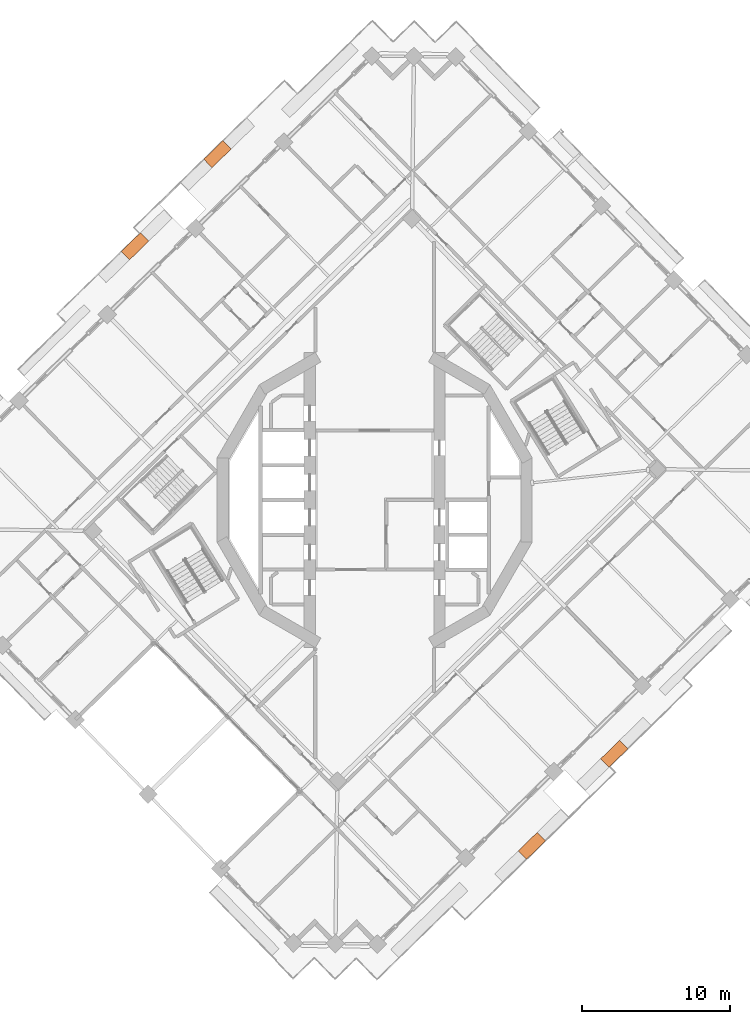
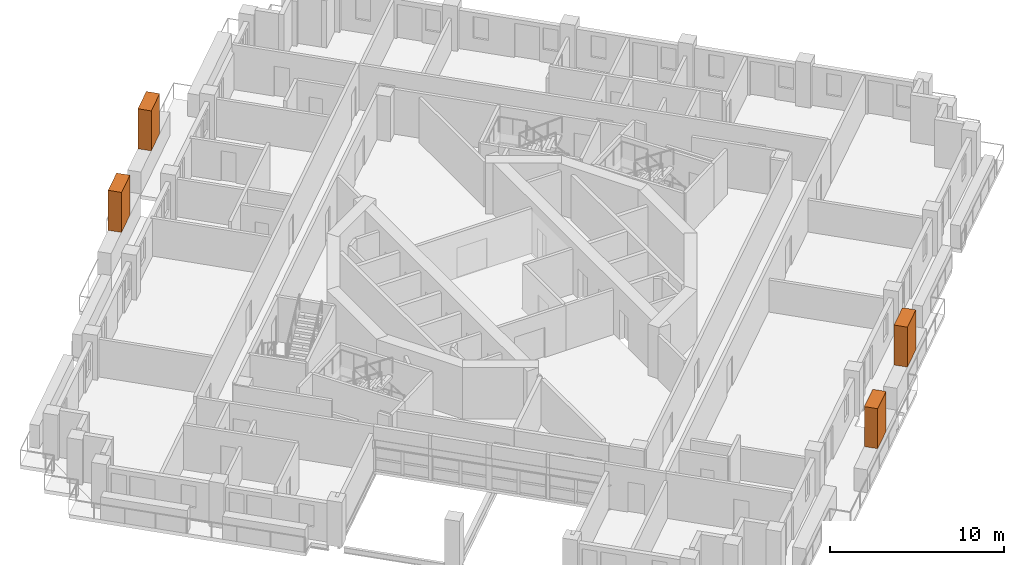
# One storey, part 19 of 19: 4 proxies.
"""IFC4 building model written with IfcOpenShell, lengths in metres."""

import ifcopenshell
import ifcopenshell.guid

model = None  # the IFC model being written
_history = None  # IfcOwnerHistory: only IFC2X3 demands one
_inside = {}  # id of a spatial element -> (the spatial element, [elements in it])
_under = {}  # id of a project, library or spatial element -> (it, [spatial elements below it])
_declared = {}  # id of a project -> (the project, [libraries it declares])
_typed = {}  # id of a type object -> (the type object, [elements of that type])
_made_of = {}  # id of a material, layer set ... -> (it, [elements and type objects made of it])


def new_model(schema):
    """Start an empty IFC model of exactly this schema.

    Asked for "IFC4X3", IfcOpenShell would pick the latest addendum, in which some entities
    have other attributes; the version numbers below select the first issue.
    IFC2X3 requires an IfcOwnerHistory on every rooted entity: one is made here for all.
    """
    global model, _history
    if schema == "IFC4X3":
        model = ifcopenshell.file(schema_version=(4, 3, 0, 0))
    else:
        model = ifcopenshell.file(schema=schema)
    _inside.clear()
    _under.clear()
    _declared.clear()
    _typed.clear()
    _made_of.clear()
    _history = None
    if model.schema == "IFC2X3":
        org = make("IfcOrganization", Name="unknown")
        user = make(
            "IfcPersonAndOrganization",
            ThePerson=make("IfcPerson", FamilyName="unknown"),
            TheOrganization=org,
        )
        app = make(
            "IfcApplication",
            ApplicationDeveloper=org,
            Version="unknown",
            ApplicationFullName="unknown",
            ApplicationIdentifier="unknown",
        )
        _history = make(
            "IfcOwnerHistory",
            OwningUser=user,
            OwningApplication=app,
            ChangeAction="ADDED",
            CreationDate=0,
        )
    return model


def make(cls, **values):
    """One entity of the class cls with the attributes given. An attribute that is None is left unset."""
    return model.create_entity(
        cls, **{name: value for name, value in values.items() if value is not None}
    )


def rooted(cls, **values):
    """An entity with a GlobalId (a new one), such as an element, a storey or a relation."""
    return make(cls, GlobalId=ifcopenshell.guid.new(), OwnerHistory=_history, **values)


def si_unit(unit_type, name, prefix=None):
    """IfcSIUnit, for example si_unit("LENGTHUNIT", "METRE", prefix="MILLI")."""
    return make("IfcSIUnit", UnitType=unit_type, Prefix=prefix, Name=name)


def assignment(units):
    """IfcUnitAssignment: the units of a project."""
    return None if units is None else make("IfcUnitAssignment", Units=units)


def point(xyz):
    """IfcCartesianPoint."""
    return None if xyz is None else make("IfcCartesianPoint", Coordinates=xyz)


def direction(xyz):
    """IfcDirection."""
    return None if xyz is None else make("IfcDirection", DirectionRatios=xyz)


def frame(location, z_axis=None, x_axis=None):
    """IfcAxis2Placement3D, a coordinate frame: its origin and axes. An axis left out is left unset."""
    return make(
        "IfcAxis2Placement3D",
        Location=point(location),
        Axis=direction(z_axis),
        RefDirection=direction(x_axis),
    )


def frame_2d(location, x_axis=None):
    """IfcAxis2Placement2D, a coordinate frame in the plane: its origin and x axis."""
    return make(
        "IfcAxis2Placement2D", Location=point(location), RefDirection=direction(x_axis)
    )


def origin():
    """The frame at (0, 0, 0) with its axes left unset."""
    return frame((0.0, 0.0, 0.0))


def origin_2d():
    """The frame at (0, 0) in the plane with its x axis left unset."""
    return frame_2d((0.0, 0.0))


def place(relative_to, where):
    """IfcLocalPlacement: puts the frame where relative to a parent placement (None: the world)."""
    return make(
        "IfcLocalPlacement", PlacementRelTo=relative_to, RelativePlacement=where
    )


def context(
    kind, dimensions, precision=None, world=None, true_north=None, identifier=None
):
    """IfcGeometricRepresentationContext, for example the 3D "Model" context."""
    return make(
        "IfcGeometricRepresentationContext",
        ContextIdentifier=identifier,
        ContextType=kind,
        CoordinateSpaceDimension=dimensions,
        Precision=precision,
        WorldCoordinateSystem=world,
        TrueNorth=true_north,
    )


def subcontext(parent, identifier, kind, view, scale=None):
    """IfcGeometricRepresentationSubContext, for example "Body" below "Model"."""
    return make(
        "IfcGeometricRepresentationSubContext",
        ContextIdentifier=identifier,
        ContextType=kind,
        ParentContext=parent,
        TargetScale=scale,
        TargetView=view,
    )


def project(units=None, contexts=None):
    """IfcProject with its units and contexts."""
    return rooted(
        "IfcProject",
        Name="project",
        RepresentationContexts=contexts,
        UnitsInContext=assignment(units),
    )


def spatial(cls, under=None, at=None, **own):
    """A site, building, storey or space (cls), placed at a placement, below another one or the project."""
    s = rooted(cls, ObjectPlacement=at, **own)
    if under is not None:
        _under.setdefault(under.id(), (under, []))[1].append(s)
    return s


def profile(cls, at=None, kind="AREA", **sizes):
    """A parametric profile (cls). Its sizes go by their IFC names, for example OverallWidth=200.0."""
    return make(cls, ProfileType=kind, Position=at, **sizes)


def rectangle(**sizes):
    """IfcRectangleProfileDef."""
    return profile("IfcRectangleProfileDef", **sizes)


def extrude(swept, where, along, depth):
    """IfcExtrudedAreaSolid: the profile swept, set in the frame where, extruded along a direction by depth."""
    return make(
        "IfcExtrudedAreaSolid",
        SweptArea=swept,
        Position=where,
        ExtrudedDirection=direction(along),
        Depth=depth,
    )


def shape(context_of_items, identifier, shape_type, items):
    """IfcShapeRepresentation: the items that make up one representation, for example the "Body"."""
    return make(
        "IfcShapeRepresentation",
        ContextOfItems=context_of_items,
        RepresentationIdentifier=identifier,
        RepresentationType=shape_type,
        Items=items,
    )


def made_of(thing, what):
    """Note that an element or type object is made of a material, layer set ...; save() writes the relation."""
    if what is not None:
        _made_of.setdefault(what.id(), (what, []))[1].append(thing)
    return thing


def element(
    cls,
    number,
    at=None,
    inside=None,
    cuts=None,
    type_object=None,
    material=None,
    context=None,
    identifier="Body",
    shape_type=None,
    held_by="IfcProductDefinitionShape",
    body=None,
    shapes=None,
    **own,
):
    """One element of the class cls, such as IfcWall. Its Tag is "e" and its number.

    at: its placement. inside: the storey or other place that contains it. cuts: it is an
    opening in that element (IfcRelVoidsElement). A single representation is given by context,
    identifier, shape_type and body (its items); several are given by shapes. held_by: the class
    of the entity that holds the representations. save() writes the other relations.
    """
    e = rooted(cls, Tag="e%d" % number, ObjectPlacement=at, **own)
    if body is not None:
        shapes = [shape(context, identifier, shape_type, body)]
    if shapes is not None:
        e.Representation = make(held_by, Representations=shapes)
    if inside is not None:
        _inside.setdefault(inside.id(), (inside, []))[1].append(e)
    if cuts is not None:
        rooted(
            "IfcRelVoidsElement", RelatingBuildingElement=cuts, RelatedOpeningElement=e
        )
    if type_object is not None:
        _typed.setdefault(type_object.id(), (type_object, []))[1].append(e)
    return made_of(e, material)


def aggregate(whole, parts):
    """IfcRelAggregates: a whole, such as a stair, and the parts it consists of."""
    return rooted("IfcRelAggregates", RelatingObject=whole, RelatedObjects=parts)


def save(model, path):
    """Write the relations noted so far, then the file.

    IfcRelAggregates (storeys below a building ...), IfcRelContainedInSpatialStructure (elements
    in a storey), IfcRelDefinesByType, IfcRelAssociatesMaterial and IfcRelDeclares: one each for
    every whole, place, type object, material and project.
    """
    for whole, parts in _under.values():
        aggregate(whole, parts)
    for where, things in _inside.values():
        rooted(
            "IfcRelContainedInSpatialStructure",
            RelatedElements=things,
            RelatingStructure=where,
        )
    for kind, things in _typed.values():
        rooted("IfcRelDefinesByType", RelatedObjects=things, RelatingType=kind)
    for what, things in _made_of.values():
        rooted("IfcRelAssociatesMaterial", RelatedObjects=things, RelatingMaterial=what)
    for by, libraries in _declared.values():
        rooted("IfcRelDeclares", RelatingContext=by, RelatedDefinitions=libraries)
    model.write(path)


model = new_model("IFC4")

# Units and contexts
model_context = context("Model", 3, precision=1e-05, world=origin(), true_north=direction((0.0, 1.0)))
body_context = subcontext(model_context, "Body", "Model", "MODEL_VIEW")
ifc_project = project(units=[si_unit("LENGTHUNIT", "METRE"), si_unit("AREAUNIT", "SQUARE_METRE"), si_unit("VOLUMEUNIT", "CUBIC_METRE"), si_unit("PLANEANGLEUNIT", "RADIAN"), si_unit("MASSUNIT", "GRAM", prefix="KILO")], contexts=[model_context])

# Site, building, storey
site_placement = place(None, origin())
site = spatial("IfcSite", under=ifc_project, at=site_placement, CompositionType="ELEMENT")
building_placement = place(site_placement, origin())
building = spatial("IfcBuilding", under=site, at=building_placement, Name="Cantera Rosa Tower", CompositionType="ELEMENT")
storey_placement = place(building_placement, frame((0.0, 0.0, 241.39990234375)))
storey = spatial("IfcBuildingStorey", under=building, at=storey_placement, Name="L53", CompositionType="ELEMENT", Elevation=241.39990234375)

# Proxies
for number, where, z_axis, x_axis, name in (
    (1, (-10.6044921875, 23.332275390625, 1.60009765625), (0.0, 0.0, 1.0), (-0.71528629107, -0.698831540364, 0.0), "TREE L53-07"),
    (2, (-16.164794921875, 17.11767578125, 1.60009765625), (0.0, 0.0, 1.0), (-0.71528629107, -0.698831540364, 0.0), "TREE L53-08"),
    (3, (10.6044921875, -23.332275390625, 1.60009765625), (0.0, 0.0, 1.0), (0.71528629107, 0.698831540364, 0.0), "TREE L53-17"),
    (4, (16.164794921875, -17.11767578125, 1.60009765625), (0.0, 0.0, 1.0), (0.71528629107, 0.698831540364, 0.0), "TREE L53-18"),
):
    element("IfcBuildingElementProxy", number, at=place(storey_placement, frame(where, z_axis=z_axis, x_axis=x_axis)), inside=storey, Name=name, ObjectType="TREE", PredefinedType="USERDEFINED", context=body_context, shape_type="SweptSolid", body=[
        extrude(rectangle(XDim=1.800048828125, YDim=0.800048828125, at=origin_2d()), origin(), (0.0, 0.0, 1.0), 2.800048828125),
    ])

save(model, "model.ifc")
